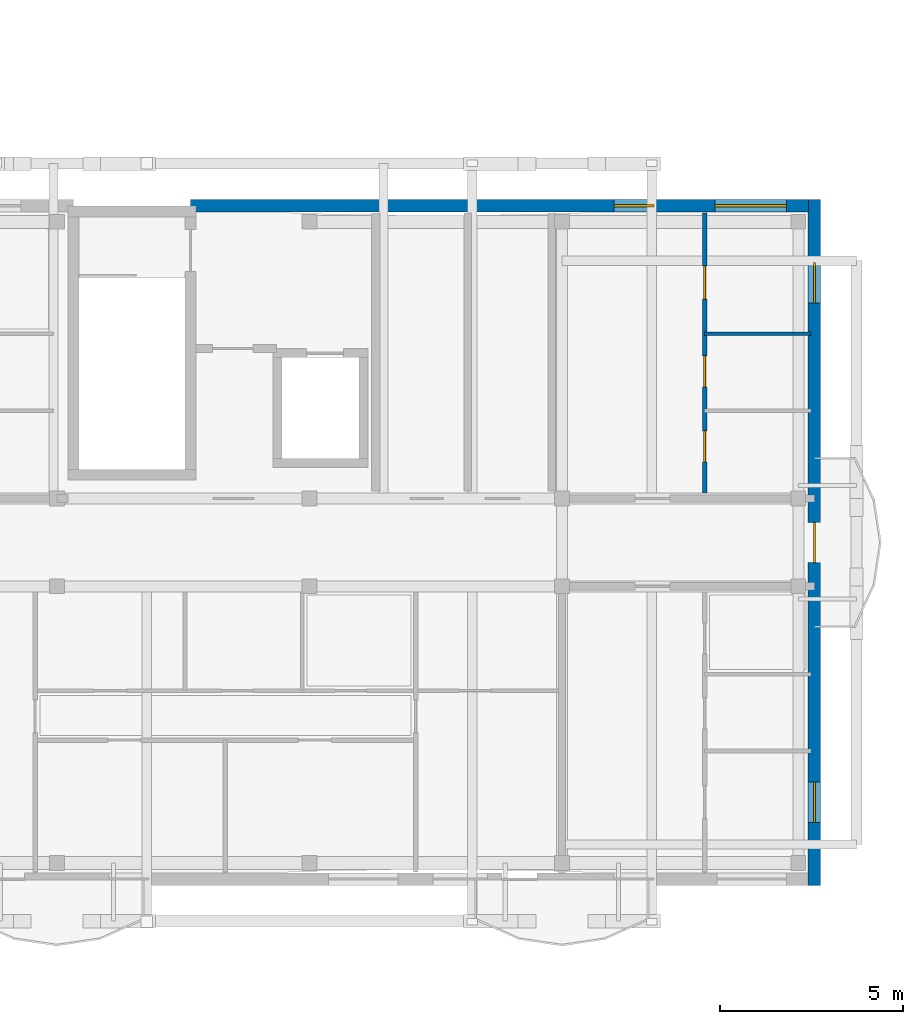
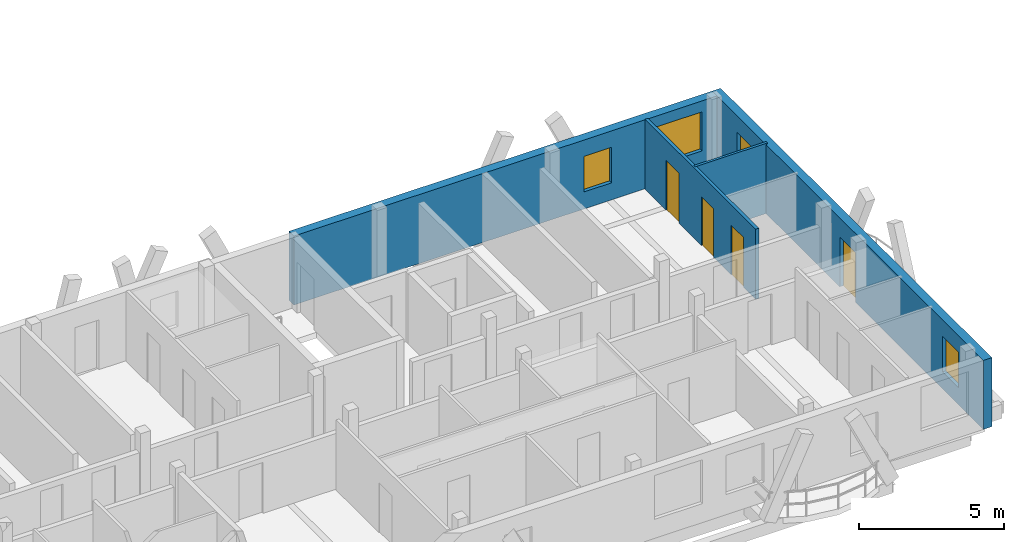
# One storey, part 27 of 41: 4 doors, 4 walls, 4 windows, 8 openings.
"""IFC4 building model written with IfcOpenShell, lengths in metres."""

from ifc_helpers import new_model, si_unit, direction, frame, frame_2d, origin, origin_with_axes, place, context, subcontext, project, spatial, rectangle, extrude, material, layer, layer_set, type_object, element, fill, save


model = new_model("IFC4")

# Units and contexts
model_context = context("Model", 3, precision=1e-05, world=origin(), true_north=direction((0.0, 1.0)))
body_context = subcontext(model_context, "Body", "Model", "MODEL_VIEW")
ifc_project = project(units=[si_unit("LENGTHUNIT", "METRE"), si_unit("AREAUNIT", "SQUARE_METRE"), si_unit("VOLUMEUNIT", "CUBIC_METRE"), si_unit("PLANEANGLEUNIT", "RADIAN"), si_unit("MASSUNIT", "GRAM", prefix="KILO")], contexts=[model_context])

# Site, building, storey
site_placement = place(None, origin())
site = spatial("IfcSite", under=ifc_project, at=site_placement, CompositionType="ELEMENT")
building_placement = place(site_placement, origin())
building = spatial("IfcBuilding", under=site, at=building_placement, Name="Zavelmont Quarter", CompositionType="ELEMENT")
storey_placement = place(building_placement, frame((0.0, 0.0, 27.199951171875)))
storey = spatial("IfcBuildingStorey", under=building, at=storey_placement, Name="L08", CompositionType="ELEMENT", Elevation=27.199951171875)

# Wall, openings, windows
ifc_material_1 = material(Name="Natural Belgian limestone", Category="masonry")
ifc_layer_1 = layer(ifc_material_1, 0.340087890625)
ifc_layer_set_1 = layer_set([ifc_layer_1], Name="Natural Belgian limestone")
wall_type_1 = type_object("IfcWallType", Name="EW03", PredefinedType="STANDARD", material=ifc_layer_set_1)
wall_1_placement = place(storey_placement, frame((150.949951171875, 18.39990234375, 0.0), z_axis=(0.0, 0.0, 1.0), x_axis=(1.0, 0.0, 0.0)))
wall_1 = element("IfcWall", 1, at=wall_1_placement, inside=storey, type_object=wall_type_1, Name="L08 exterior limestone wall EW03", PredefinedType="STANDARD", context=body_context, shape_type="SweptSolid", body=[
    extrude(rectangle(XDim=16.89013671875, YDim=0.340087890625, at=frame_2d((8.445068359375, 0.0))), origin(), (0.0, 0.0, 1.0), 2.91015625),
])
opening_1_placement = place(wall_1_placement, frame((11.570068359375, 0.0, 0.719970703125)))
opening_1 = element("IfcOpeningElement", 2, at=opening_1_placement, cuts=wall_1, Name="Opening WN09", PredefinedType="OPENING", context=body_context, shape_type="SweptSolid", body=[
    extrude(rectangle(XDim=1.10009765625, YDim=1.5, at=frame_2d((0.550048828125, 0.75))), frame((0.0, 0.18212890625, 0.0), z_axis=(0.0, -1.0, 0.0), x_axis=(1.0, 0.0, 0.0)), (0.0, 0.0, 1.0), 0.364013671875),
])
opening_2_placement = place(wall_1_placement, frame((14.3349609375, 0.0, 0.800048828125)))
opening_2 = element("IfcOpeningElement", 3, at=opening_2_placement, cuts=wall_1, Name="Opening WN24", PredefinedType="OPENING", context=body_context, shape_type="SweptSolid", body=[
    extrude(rectangle(XDim=1.949951171875, YDim=1.64990234375, at=frame_2d((0.97509765625, 0.824951171875))), frame((0.0, 0.18212890625, 0.0), z_axis=(0.0, -1.0, 0.0), x_axis=(1.0, 0.0, 0.0)), (0.0, 0.0, 1.0), 0.364013671875),
])
ifc_material_2 = material(Name="Double low-E insulated glazing in thermally broken aluminium frame", Category="aluminium")
window_type_1 = type_object("IfcWindowType", Name="WN09", PartitioningType="SINGLE_PANEL", PredefinedType="WINDOW", material=ifc_material_2)
window_1_placement = place(opening_1_placement, origin_with_axes())
window_1 = element("IfcWindow", 4, at=window_1_placement, inside=storey, type_object=window_type_1, Name="L08 window WN09", OverallHeight=1.5, OverallWidth=1.10009765625, PartitioningType="SINGLE_PANEL", PredefinedType="WINDOW", context=body_context, shape_type="SweptSolid", body=[
    extrude(rectangle(XDim=1.10009765625, YDim=1.5, at=frame_2d((0.550048828125, 0.75))), frame((0.0, 0.030029296875, 0.0), z_axis=(0.0, -1.0, 0.0), x_axis=(1.0, 0.0, 0.0)), (0.0, 0.0, 1.0), 0.06005859375),
])
fill(opening_1, window_1)
window_type_2 = type_object("IfcWindowType", Name="WN24", PartitioningType="SINGLE_PANEL", PredefinedType="WINDOW", material=ifc_material_2)
window_2_placement = place(opening_2_placement, origin_with_axes())
window_2 = element("IfcWindow", 5, at=window_2_placement, inside=storey, type_object=window_type_2, Name="L08 window WN24", OverallHeight=1.64990234375, OverallWidth=1.949951171875, PartitioningType="SINGLE_PANEL", PredefinedType="WINDOW", context=body_context, shape_type="SweptSolid", body=[
    extrude(rectangle(XDim=1.949951171875, YDim=1.64990234375, at=frame_2d((0.97509765625, 0.824951171875))), frame((0.0, 0.030029296875, 0.0), z_axis=(0.0, -1.0, 0.0), x_axis=(1.0, 0.0, 0.0)), (0.0, 0.0, 1.0), 0.06005859375),
])
fill(opening_2, window_2)

# Wall, openings, door, windows
wall_2_placement = place(storey_placement, frame((168.0, -0.169921875, 0.0), z_axis=(0.0, 0.0, 1.0), x_axis=(0.0, 1.0, 0.0)))
wall_2 = element("IfcWall", 6, at=wall_2_placement, inside=storey, type_object=wall_type_1, Name="L08 exterior limestone wall EW03", PredefinedType="STANDARD", context=body_context, shape_type="SweptSolid", body=[
    extrude(rectangle(XDim=18.739990234375, YDim=0.340087890625, at=frame_2d((9.3701171875, 0.0))), origin(), (0.0, 0.0, 1.0), 2.91015625),
])
opening_3_placement = place(wall_2_placement, frame((8.820068359375, 0.0, 0.0)))
opening_3 = element("IfcOpeningElement", 7, at=opening_3_placement, cuts=wall_2, Name="Opening DR04B", PredefinedType="OPENING", context=body_context, shape_type="SweptSolid", body=[
    extrude(rectangle(XDim=1.10009765625, YDim=2.10009765625, at=frame_2d((0.550048828125, 1.050048828125))), frame((0.0, 0.18212890625, 0.0), z_axis=(0.0, -1.0, 0.0), x_axis=(1.0, 0.0, 0.0)), (0.0, 0.0, 1.0), 0.364013671875),
])
opening_4_placement = place(wall_2_placement, frame((1.719970703125, 0.0, 0.719970703125)))
opening_4 = element("IfcOpeningElement", 8, at=opening_4_placement, cuts=wall_2, Name="Opening WN09", PredefinedType="OPENING", context=body_context, shape_type="SweptSolid", body=[
    extrude(rectangle(XDim=1.10009765625, YDim=1.5, at=frame_2d((0.550048828125, 0.75))), frame((0.0, 0.18212890625, 0.0), z_axis=(0.0, -1.0, 0.0), x_axis=(1.0, 0.0, 0.0)), (0.0, 0.0, 1.0), 0.364013671875),
])
opening_5_placement = place(wall_2_placement, frame((15.919921875, 0.0, 0.719970703125)))
opening_5 = element("IfcOpeningElement", 9, at=opening_5_placement, cuts=wall_2, Name="Opening WN09", PredefinedType="OPENING", context=body_context, shape_type="SweptSolid", body=[
    extrude(rectangle(XDim=1.10009765625, YDim=1.5, at=frame_2d((0.550048828125, 0.75))), frame((0.0, 0.18212890625, 0.0), z_axis=(0.0, -1.0, 0.0), x_axis=(1.0, 0.0, 0.0)), (0.0, 0.0, 1.0), 0.364013671875),
])
ifc_material_3 = material(Name="Thermally broken aluminium and double safety glass", Category="aluminium")
door_type_1 = type_object("IfcDoorType", Name="DR04B", OperationType="NOTDEFINED", PredefinedType="DOOR", material=ifc_material_3)
door_1_placement = place(opening_3_placement, origin_with_axes())
door_1 = element("IfcDoor", 10, at=door_1_placement, inside=storey, type_object=door_type_1, Name="Block D L08 terrace or vase balcony door", OperationType="SINGLE_SWING_LEFT", OverallHeight=2.10009765625, OverallWidth=1.10009765625, PredefinedType="DOOR", context=body_context, shape_type="SweptSolid", body=[
    extrude(rectangle(XDim=1.10009765625, YDim=2.10009765625, at=frame_2d((0.550048828125, 1.050048828125))), frame((0.0, 0.02490234375, 0.0), z_axis=(0.0, -1.0, 0.0), x_axis=(1.0, 0.0, 0.0)), (0.0, 0.0, 1.0), 0.050048828125),
])
fill(opening_3, door_1)
window_3_placement = place(opening_4_placement, origin_with_axes())
window_3 = element("IfcWindow", 11, at=window_3_placement, inside=storey, type_object=window_type_1, Name="L08 window WN09", OverallHeight=1.5, OverallWidth=1.10009765625, PartitioningType="SINGLE_PANEL", PredefinedType="WINDOW", context=body_context, shape_type="SweptSolid", body=[
    extrude(rectangle(XDim=1.10009765625, YDim=1.5, at=frame_2d((0.550048828125, 0.75))), frame((0.0, 0.030029296875, 0.0), z_axis=(0.0, -1.0, 0.0), x_axis=(1.0, 0.0, 0.0)), (0.0, 0.0, 1.0), 0.06005859375),
])
fill(opening_4, window_3)
window_4_placement = place(opening_5_placement, origin_with_axes())
window_4 = element("IfcWindow", 12, at=window_4_placement, inside=storey, type_object=window_type_1, Name="L08 window WN09", OverallHeight=1.5, OverallWidth=1.10009765625, PartitioningType="SINGLE_PANEL", PredefinedType="WINDOW", context=body_context, shape_type="SweptSolid", body=[
    extrude(rectangle(XDim=1.10009765625, YDim=1.5, at=frame_2d((0.550048828125, 0.75))), frame((0.0, 0.030029296875, 0.0), z_axis=(0.0, -1.0, 0.0), x_axis=(1.0, 0.0, 0.0)), (0.0, 0.0, 1.0), 0.06005859375),
])
fill(opening_5, window_4)

# Wall, openings, doors
ifc_material_4 = material(Name="Double gypsum board on acoustic steel stud", Category="steel")
ifc_layer_2 = layer(ifc_material_4, 0.125)
ifc_layer_set_2 = layer_set([ifc_layer_2], Name="Double gypsum board on acoustic steel stud")
wall_type_2 = type_object("IfcWallType", Name="IW03", PredefinedType="PARTITIONING", material=ifc_layer_set_2)
wall_3_placement = place(storey_placement, frame((165.0, 10.550048828125, 0.0), z_axis=(0.0, 0.0, 1.0), x_axis=(0.0, 1.0, 0.0)))
wall_3 = element("IfcWall", 13, at=wall_3_placement, inside=storey, type_object=wall_type_2, Name="L08 Partition IW03", PredefinedType="PARTITIONING", context=body_context, shape_type="SweptSolid", body=[
    extrude(rectangle(XDim=7.64990234375, YDim=0.125, at=frame_2d((3.824951171875, 0.0))), origin(), (0.0, 0.0, 1.0), 2.9599609375),
])
opening_6_placement = place(wall_3_placement, frame((0.85009765625, 0.0, 0.0)))
opening_6 = element("IfcOpeningElement", 14, at=opening_6_placement, cuts=wall_3, Name="Opening DR16", PredefinedType="OPENING", context=body_context, shape_type="SweptSolid", body=[
    extrude(rectangle(XDim=0.85009765625, YDim=2.10009765625, at=frame_2d((0.425048828125, 1.050048828125))), frame((0.0, 0.074462890625, 0.0), z_axis=(0.0, -1.0, 0.0), x_axis=(1.0, 0.0, 0.0)), (0.0, 0.0, 1.0), 0.14892578125),
])
opening_7_placement = place(wall_3_placement, frame((2.89990234375, 0.0, 0.0)))
opening_7 = element("IfcOpeningElement", 15, at=opening_7_placement, cuts=wall_3, Name="Opening DR06", PredefinedType="OPENING", context=body_context, shape_type="SweptSolid", body=[
    extrude(rectangle(XDim=0.85009765625, YDim=2.050048828125, at=frame_2d((0.425048828125, 1.02490234375))), frame((0.0, 0.074462890625, 0.0), z_axis=(0.0, -1.0, 0.0), x_axis=(1.0, 0.0, 0.0)), (0.0, 0.0, 1.0), 0.14892578125),
])
opening_8_placement = place(wall_3_placement, frame((5.300048828125, 0.0, 0.0)))
opening_8 = element("IfcOpeningElement", 16, at=opening_8_placement, cuts=wall_3, Name="Opening DR05", PredefinedType="OPENING", context=body_context, shape_type="SweptSolid", body=[
    extrude(rectangle(XDim=0.89990234375, YDim=2.10009765625, at=frame_2d((0.449951171875, 1.050048828125))), frame((0.0, 0.074462890625, 0.0), z_axis=(0.0, -1.0, 0.0), x_axis=(1.0, 0.0, 0.0)), (0.0, 0.0, 1.0), 0.14892578125),
])
ifc_material_5 = material(Name="Engineered oak flush interior door")
door_type_2 = type_object("IfcDoorType", Name="DR05", OperationType="NOTDEFINED", PredefinedType="DOOR", material=ifc_material_5)
door_2_placement = place(opening_8_placement, origin_with_axes())
door_2 = element("IfcDoor", 17, at=door_2_placement, inside=storey, type_object=door_type_2, Name="L08 door DR05", OperationType="SINGLE_SWING_RIGHT", OverallHeight=2.10009765625, OverallWidth=0.89990234375, PredefinedType="DOOR", context=body_context, shape_type="SweptSolid", body=[
    extrude(rectangle(XDim=0.89990234375, YDim=2.10009765625, at=frame_2d((0.449951171875, 1.050048828125))), frame((0.0, 0.02490234375, 0.0), z_axis=(0.0, -1.0, 0.0), x_axis=(1.0, 0.0, 0.0)), (0.0, 0.0, 1.0), 0.050048828125),
])
fill(opening_8, door_2)
ifc_material_6 = material(Name="Moisture-resistant painted wet-room door")
door_type_3 = type_object("IfcDoorType", Name="DR06", OperationType="NOTDEFINED", PredefinedType="DOOR", material=ifc_material_6)
door_3_placement = place(opening_7_placement, frame((0.85009765625, 0.0, 0.0), z_axis=(0.0, 0.0, 1.0), x_axis=(-1.0, 0.0, 0.0)))
door_3 = element("IfcDoor", 18, at=door_3_placement, inside=storey, type_object=door_type_3, Name="L08 door DR06", OperationType="SINGLE_SWING_LEFT", OverallHeight=2.050048828125, OverallWidth=0.85009765625, PredefinedType="DOOR", context=body_context, shape_type="SweptSolid", body=[
    extrude(rectangle(XDim=0.85009765625, YDim=2.050048828125, at=frame_2d((0.425048828125, 1.02490234375))), frame((0.0, 0.02490234375, 0.0), z_axis=(0.0, -1.0, 0.0), x_axis=(1.0, 0.0, 0.0)), (0.0, 0.0, 1.0), 0.050048828125),
])
fill(opening_7, door_3)
door_type_4 = type_object("IfcDoorType", Name="DR16", OperationType="NOTDEFINED", PredefinedType="DOOR", material=ifc_material_5)
door_4_placement = place(opening_6_placement, origin_with_axes())
door_4 = element("IfcDoor", 19, at=door_4_placement, inside=storey, type_object=door_type_4, Name="L08 door DR16", OperationType="SINGLE_SWING_RIGHT", OverallHeight=2.10009765625, OverallWidth=0.85009765625, PredefinedType="DOOR", context=body_context, shape_type="SweptSolid", body=[
    extrude(rectangle(XDim=0.85009765625, YDim=2.10009765625, at=frame_2d((0.425048828125, 1.050048828125))), frame((0.0, 0.02490234375, 0.0), z_axis=(0.0, -1.0, 0.0), x_axis=(1.0, 0.0, 0.0)), (0.0, 0.0, 1.0), 0.050048828125),
])
fill(opening_6, door_4)

# Wall
ifc_material_7 = material(Name="Moisture-resistant gypsum board on steel stud", Category="steel")
ifc_layer_3 = layer(ifc_material_7, 0.10009765625)
ifc_layer_set_3 = layer_set([ifc_layer_3], Name="Moisture-resistant gypsum board on steel stud")
wall_type_3 = type_object("IfcWallType", Name="IW04", PredefinedType="PARTITIONING", material=ifc_layer_set_3)
wall_4_placement = place(storey_placement, frame((165.0, 14.89990234375, 0.0), z_axis=(0.0, 0.0, 1.0), x_axis=(1.0, 0.0, 0.0)))
element("IfcWall", 20, at=wall_4_placement, inside=storey, type_object=wall_type_3, Name="L08 Partition IW04", PredefinedType="PARTITIONING", context=body_context, shape_type="SweptSolid", body=[
    extrude(rectangle(XDim=2.89990234375, YDim=0.10009765625, at=frame_2d((1.449951171875, 0.0))), origin(), (0.0, 0.0, 1.0), 2.9599609375),
])

save(model, "model.ifc")
